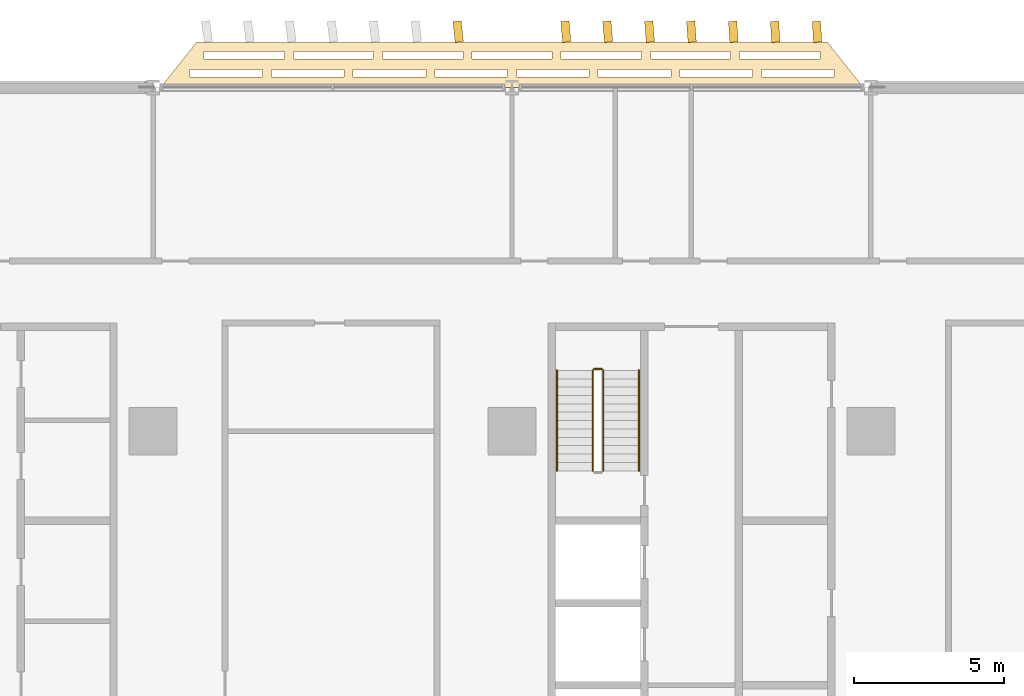
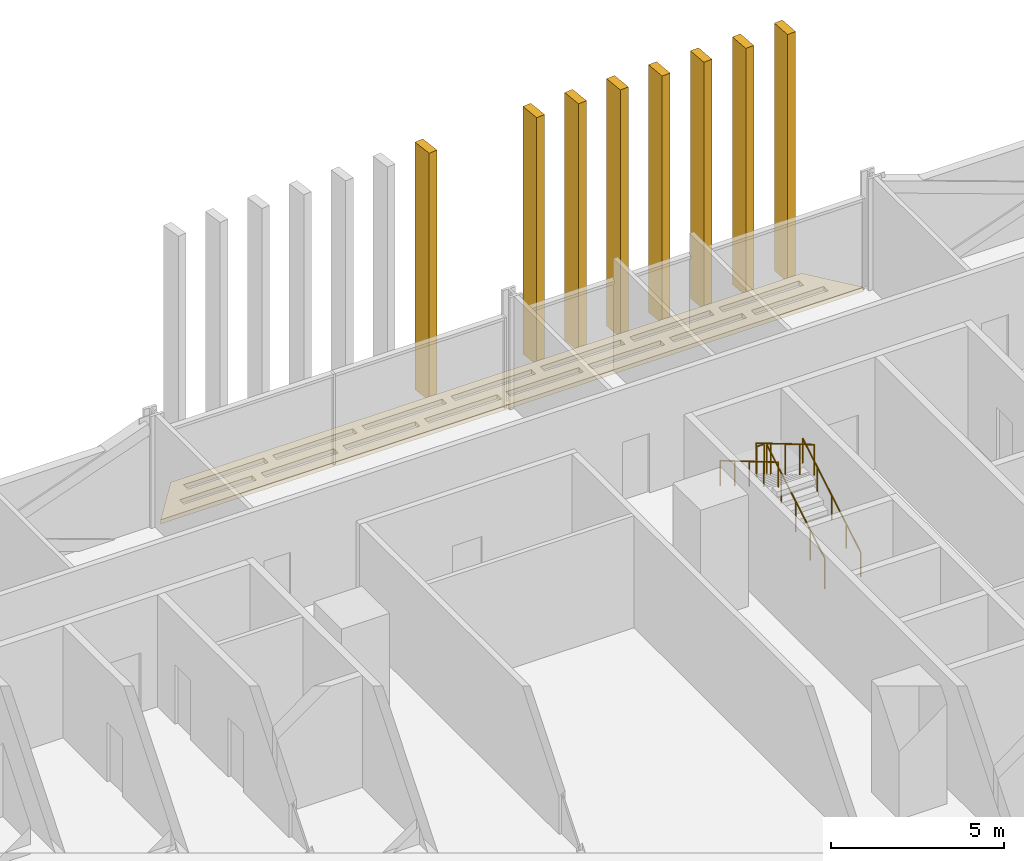
# One storey, part 30 of 31: 9 coverings, 5 railings.
"""IFC4 building model written with IfcOpenShell, lengths in metres."""

from ifc_helpers import new_model, si_unit, direction, frame, origin, origin_2d, place, context, subcontext, project, spatial, polyline, rectangle, circle, outline, extrude, material, layer, layer_set, type_object, element, save


model = new_model("IFC4")

# Units and contexts
model_context = context("Model", 3, precision=1e-05, world=origin(), true_north=direction((0.0, 1.0)))
body_context = subcontext(model_context, "Body", "Model", "MODEL_VIEW")
ifc_project = project(units=[si_unit("LENGTHUNIT", "METRE"), si_unit("AREAUNIT", "SQUARE_METRE"), si_unit("VOLUMEUNIT", "CUBIC_METRE"), si_unit("PLANEANGLEUNIT", "RADIAN"), si_unit("MASSUNIT", "GRAM", prefix="KILO")], contexts=[model_context])

# Site, building, storey
site_placement = place(None, origin())
site = spatial("IfcSite", under=ifc_project, at=site_placement, CompositionType="ELEMENT")
building_placement = place(site_placement, origin())
building = spatial("IfcBuilding", under=site, at=building_placement, Name="Mahtab Terrace Research Tower", CompositionType="ELEMENT")
storey_placement = place(building_placement, frame((0.0, 0.0, 11.5)))
storey = spatial("IfcBuildingStorey", under=building, at=storey_placement, Name="L02", CompositionType="ELEMENT", Elevation=11.5)

# Covering
ifc_material_1 = material(Name="Black anodised aluminium", Category="aluminium")
ifc_layer_1 = layer(ifc_material_1, 0.14990234375)
ifc_layer_set_1 = layer_set([ifc_layer_1], Name="Horizontal sunshade band")
covering_type_1 = type_object("IfcCoveringType", Name="Horizontal sunshade band", PredefinedType="CLADDING", material=ifc_layer_set_1)
covering_placement = place(storey_placement, frame((0.0, 0.0, -0.14990234375)))
element("IfcCovering", 1, at=covering_placement, inside=storey, type_object=covering_type_1, Name="Sunshade band L02 4", PredefinedType="CLADDING", context=body_context, shape_type="SweptSolid", body=[
    extrude(outline(polyline([(29.7509765625, 23.0), (6.2490234375, 23.0), (7.448974609375, 24.5), (28.551025390625, 24.5), (29.7509765625, 23.0)]), holes=[polyline([(28.77099609375, 23.35009765625), (26.341064453125, 23.35009765625), (26.341064453125, 23.60009765625), (28.77099609375, 23.60009765625), (28.77099609375, 23.35009765625)]), polyline([(26.041015625, 23.35009765625), (23.611083984375, 23.35009765625), (23.611083984375, 23.60009765625), (26.041015625, 23.60009765625), (26.041015625, 23.35009765625)]), polyline([(23.31103515625, 23.35009765625), (20.8798828125, 23.35009765625), (20.8798828125, 23.60009765625), (23.31103515625, 23.60009765625), (23.31103515625, 23.35009765625)]), polyline([(20.580078125, 23.35009765625), (18.14990234375, 23.35009765625), (18.14990234375, 23.60009765625), (20.580078125, 23.60009765625), (20.580078125, 23.35009765625)]), polyline([(17.85009765625, 23.35009765625), (15.419921875, 23.35009765625), (15.419921875, 23.60009765625), (17.85009765625, 23.60009765625), (17.85009765625, 23.35009765625)]), polyline([(15.1201171875, 23.35009765625), (12.68994140625, 23.35009765625), (12.68994140625, 23.60009765625), (15.1201171875, 23.60009765625), (15.1201171875, 23.35009765625)]), polyline([(12.389892578125, 23.35009765625), (9.958984375, 23.35009765625), (9.958984375, 23.60009765625), (12.389892578125, 23.60009765625), (12.389892578125, 23.35009765625)]), polyline([(9.658935546875, 23.35009765625), (7.22900390625, 23.35009765625), (7.22900390625, 23.60009765625), (9.658935546875, 23.60009765625), (9.658935546875, 23.35009765625)]), polyline([(28.291015625, 23.949951171875), (25.60791015625, 23.949951171875), (25.60791015625, 24.199951171875), (28.291015625, 24.199951171875), (28.291015625, 23.949951171875)]), polyline([(25.30810546875, 23.949951171875), (22.625, 23.949951171875), (22.625, 24.199951171875), (25.30810546875, 24.199951171875), (25.30810546875, 23.949951171875)]), polyline([(22.324951171875, 23.949951171875), (19.64208984375, 23.949951171875), (19.64208984375, 24.199951171875), (22.324951171875, 24.199951171875), (22.324951171875, 23.949951171875)]), polyline([(19.342041015625, 23.949951171875), (16.657958984375, 23.949951171875), (16.657958984375, 24.199951171875), (19.342041015625, 24.199951171875), (19.342041015625, 23.949951171875)]), polyline([(16.35791015625, 23.949951171875), (13.675048828125, 23.949951171875), (13.675048828125, 24.199951171875), (16.35791015625, 24.199951171875), (16.35791015625, 23.949951171875)]), polyline([(13.375, 23.949951171875), (10.69189453125, 23.949951171875), (10.69189453125, 24.199951171875), (13.375, 24.199951171875), (13.375, 23.949951171875)]), polyline([(10.39208984375, 23.949951171875), (7.708984375, 23.949951171875), (7.708984375, 24.199951171875), (10.39208984375, 24.199951171875), (10.39208984375, 23.949951171875)])]), origin(), (0.0, 0.0, 1.0), 0.14990234375),
])

# Railings
ifc_material_2 = material(Name="Stainless steel AISI 304", Category="steel")
railing_type_1 = type_object("IfcRailingType", Name="Stair guard 1100", PredefinedType="GUARDRAIL", material=ifc_material_2)
railing_1_placement = place(storey_placement, frame((21.050048828125, 10.175048828125, 0.165283203125)))
element("IfcRailing", 2, at=railing_1_placement, inside=storey, type_object=railing_type_1, Name="L02 ST3 stair guard 1", PredefinedType="GUARDRAIL", context=body_context, shape_type="SweptSolid", body=[
    extrude(circle(Radius=0.02392578125, at=origin_2d()), frame((0.0, 0.0, 1.076171875), z_axis=(0.0, 0.861011212953, 0.508585972249), x_axis=(-1.0, 0.0, 0.0)), (0.0, 0.0, 1.0), 3.90234375),
    extrude(circle(Radius=0.02099609375, at=origin_2d()), origin(), (0.0, 0.0, 1.0), 1.052001953125),
    extrude(circle(Radius=0.02099609375, at=origin_2d()), frame((0.0, 0.83984375, 0.49609375)), (0.0, 0.0, 1.0), 1.052001953125),
    extrude(circle(Radius=0.02099609375, at=origin_2d()), frame((0.0, 1.679931640625, 0.9921875)), (0.0, 0.0, 1.0), 1.052001953125),
    extrude(circle(Radius=0.02099609375, at=origin_2d()), frame((0.0, 2.52001953125, 1.488525390625)), (0.0, 0.0, 1.0), 1.052001953125),
    extrude(circle(Radius=0.02099609375, at=origin_2d()), frame((0.0, 3.35986328125, 1.984619140625)), (0.0, 0.0, 1.0), 1.052001953125),
])
railing_2_placement = place(storey_placement, frame((21.0, 13.5849609375, 2.14990234375)))
element("IfcRailing", 3, at=railing_2_placement, inside=storey, type_object=railing_type_1, Name="L02 ST3 stair guard 2", PredefinedType="GUARDRAIL", context=body_context, shape_type="SweptSolid", body=[
    extrude(circle(Radius=0.02392578125, at=origin_2d()), frame((0.0, 0.0, 1.076171875), z_axis=(-1.0, 0.0, 0.0), x_axis=(0.0, -1.0, 0.0)), (0.0, 0.0, 1.0), 0.25),
    extrude(circle(Radius=0.02099609375, at=origin_2d()), origin(), (0.0, 0.0, 1.0), 1.052001953125),
    extrude(circle(Radius=0.02099609375, at=origin_2d()), frame((-0.25, 0.0, 0.0)), (0.0, 0.0, 1.0), 1.052001953125),
])
railing_3_placement = place(storey_placement, frame((20.699951171875, 13.534912109375, 2.3154296875)))
element("IfcRailing", 4, at=railing_3_placement, inside=storey, type_object=railing_type_1, Name="L02 ST3 stair guard 3", PredefinedType="GUARDRAIL", context=body_context, shape_type="SweptSolid", body=[
    extrude(circle(Radius=0.02392578125, at=origin_2d()), frame((0.0, 0.0, 1.076171875), z_axis=(0.0, -0.861011212953, 0.508585972249), x_axis=(1.0, 0.0, 0.0)), (0.0, 0.0, 1.0), 3.90234375),
    extrude(circle(Radius=0.02099609375, at=origin_2d()), origin(), (0.0, 0.0, 1.0), 1.052001953125),
    extrude(circle(Radius=0.02099609375, at=origin_2d()), frame((0.0, -0.83984375, 0.49609375)), (0.0, 0.0, 1.0), 1.052001953125),
    extrude(circle(Radius=0.02099609375, at=origin_2d()), frame((0.0, -1.679931640625, 0.9921875)), (0.0, 0.0, 1.0), 1.052001953125),
    extrude(circle(Radius=0.02099609375, at=origin_2d()), frame((0.0, -2.52001953125, 1.488525390625)), (0.0, 0.0, 1.0), 1.052001953125),
    extrude(circle(Radius=0.02099609375, at=origin_2d()), frame((0.0, -3.35986328125, 1.984619140625)), (0.0, 0.0, 1.0), 1.052001953125),
])
railing_type_2 = type_object("IfcRailingType", Name="Stair handrail 900", PredefinedType="HANDRAIL", material=ifc_material_2)
railing_4_placement = place(storey_placement, frame((22.25, 10.175048828125, 0.165283203125)))
element("IfcRailing", 5, at=railing_4_placement, inside=storey, type_object=railing_type_2, Name="L02 ST3 stair handrail 1", PredefinedType="HANDRAIL", context=body_context, shape_type="SweptSolid", body=[
    extrude(circle(Radius=0.02392578125, at=origin_2d()), frame((0.0, 0.0, 0.8759765625), z_axis=(0.0, 0.861011212953, 0.508585972249), x_axis=(-1.0, 0.0, 0.0)), (0.0, 0.0, 1.0), 3.90234375),
    extrude(circle(Radius=0.02099609375, at=origin_2d()), origin(), (0.0, 0.0, 1.0), 0.851806640625),
    extrude(circle(Radius=0.02099609375, at=origin_2d()), frame((0.0, 0.83984375, 0.49609375)), (0.0, 0.0, 1.0), 0.851806640625),
    extrude(circle(Radius=0.02099609375, at=origin_2d()), frame((0.0, 1.679931640625, 0.9921875)), (0.0, 0.0, 1.0), 0.851806640625),
    extrude(circle(Radius=0.02099609375, at=origin_2d()), frame((0.0, 2.52001953125, 1.488525390625)), (0.0, 0.0, 1.0), 0.851806640625),
    extrude(circle(Radius=0.02099609375, at=origin_2d()), frame((0.0, 3.35986328125, 1.984619140625)), (0.0, 0.0, 1.0), 0.851806640625),
])
railing_5_placement = place(storey_placement, frame((19.5, 13.534912109375, 2.3154296875)))
element("IfcRailing", 6, at=railing_5_placement, inside=storey, type_object=railing_type_2, Name="L02 ST3 stair handrail 2", PredefinedType="HANDRAIL", context=body_context, shape_type="SweptSolid", body=[
    extrude(circle(Radius=0.02392578125, at=origin_2d()), frame((0.0, 0.0, 0.8759765625), z_axis=(0.0, -0.861011212953, 0.508585972249), x_axis=(1.0, 0.0, 0.0)), (0.0, 0.0, 1.0), 3.90234375),
    extrude(circle(Radius=0.02099609375, at=origin_2d()), origin(), (0.0, 0.0, 1.0), 0.851806640625),
    extrude(circle(Radius=0.02099609375, at=origin_2d()), frame((0.0, -0.83984375, 0.49609375)), (0.0, 0.0, 1.0), 0.851806640625),
    extrude(circle(Radius=0.02099609375, at=origin_2d()), frame((0.0, -1.679931640625, 0.9921875)), (0.0, 0.0, 1.0), 0.851806640625),
    extrude(circle(Radius=0.02099609375, at=origin_2d()), frame((0.0, -2.52001953125, 1.488525390625)), (0.0, 0.0, 1.0), 0.851806640625),
    extrude(circle(Radius=0.02099609375, at=origin_2d()), frame((0.0, -3.35986328125, 1.984619140625)), (0.0, 0.0, 1.0), 0.851806640625),
])

# Coverings
ifc_material_3 = material(Name="Bronze anodised aluminium", Category="aluminium")
ifc_layer_2 = layer(ifc_material_3, 0.1201171875)
ifc_layer_set_2 = layer_set([ifc_layer_2], Name="Vertical fin 700")
covering_type_2 = type_object("IfcCoveringType", Name="Vertical fin 700", PredefinedType="CLADDING", material=ifc_layer_set_2)
for number, where, z_axis, x_axis, name in (
    (7, (28.199951171875, 24.857421875, -0.14990234375), (0.0, 0.0, 1.0), (-0.998356138179, -0.057315105867, 0.0), "Fin L02 N1"),
    (8, (26.800048828125, 24.858154296875, -0.14990234375), (0.0, 0.0, 1.0), (-0.998005798968, -0.063122303718, 0.0), "Fin L02 N2"),
    (9, (25.39990234375, 24.85888671875, -0.14990234375), (0.0, 0.0, 1.0), (-0.997621680969, -0.068927365114, 0.0), "Fin L02 N3"),
    (10, (24.0, 24.859375, -0.14990234375), (0.0, 0.0, 1.0), (-0.997203797181, -0.074730093591, 0.0), "Fin L02 N4"),
    (11, (22.60009765625, 24.860107421875, -0.14990234375), (0.0, 0.0, 1.0), (-0.996752161751, -0.080530292716, 0.0), "Fin L02 N5"),
    (12, (21.199951171875, 24.86083984375, -0.14990234375), (0.0, 0.0, 1.0), (-0.996266789964, -0.086327766189, 0.0), "Fin L02 N6"),
    (13, (19.800048828125, 24.861328125, -0.14990234375), (0.0, 0.0, 1.0), (-0.995747698246, -0.092122317805, 0.0), "Fin L02 N7"),
    (14, (16.199951171875, 24.863037109375, -0.14990234375), (0.0, 0.0, 1.0), (-0.994258180634, -0.107007804585, 0.0), "Fin L02 N1"),
):
    element("IfcCovering", number, at=place(storey_placement, frame(where, z_axis=z_axis, x_axis=x_axis)), inside=storey, type_object=covering_type_2, Name=name, PredefinedType="CLADDING", context=body_context, shape_type="SweptSolid", body=[
        extrude(rectangle(XDim=0.280029296875, YDim=0.699951171875, at=origin_2d()), origin(), (0.0, 0.0, 1.0), 8.75),
    ])

save(model, "model.ifc")
